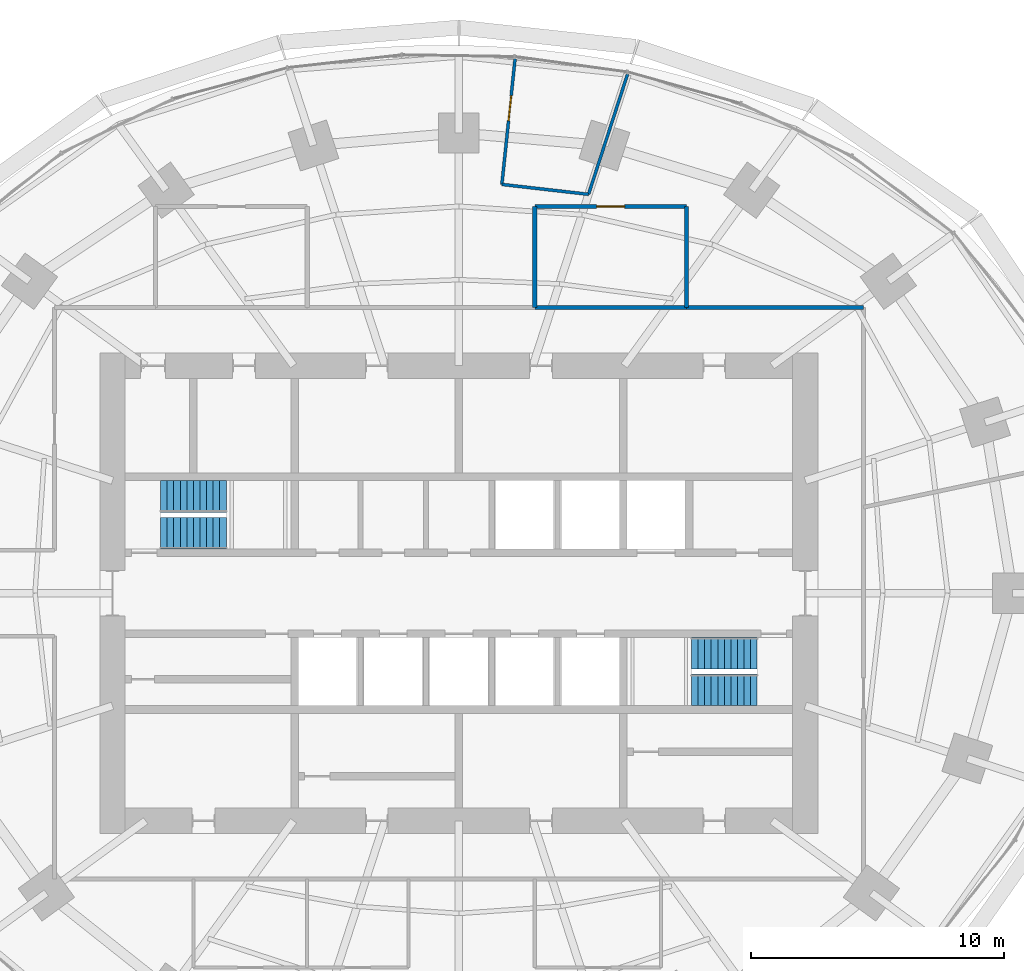
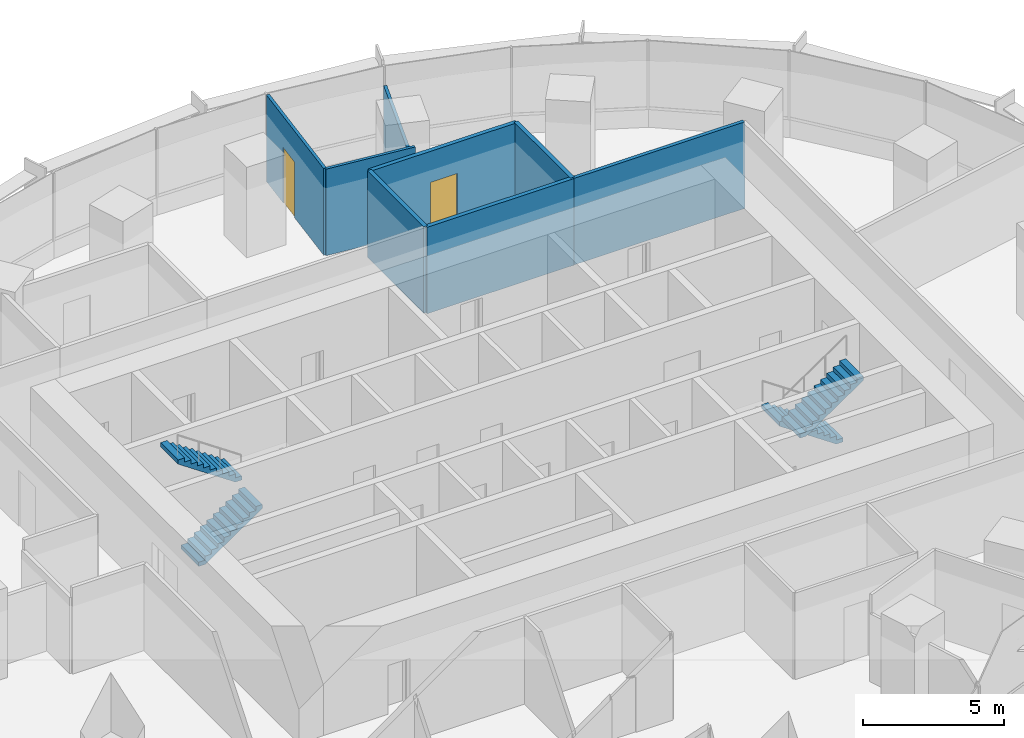
# One storey, part 12 of 14: 8 walls, 4 stair flights, 2 doors, 2 openings, 2 elements without a shape of their own.
"""IFC4 building model written with IfcOpenShell, lengths in metres."""

from ifc_helpers import new_model, si_unit, direction, frame, frame_2d, origin, place, context, subcontext, project, spatial, polyline, rectangle, outline, extrude, material, layer, layer_set, type_object, element, fill, aggregate, save


model = new_model("IFC4")

# Units and contexts
model_context = context("Model", 3, precision=1e-05, world=origin(), true_north=direction((0.0, 1.0)))
body_context = subcontext(model_context, "Body", "Model", "MODEL_VIEW")
ifc_project = project(units=[si_unit("LENGTHUNIT", "METRE"), si_unit("AREAUNIT", "SQUARE_METRE"), si_unit("VOLUMEUNIT", "CUBIC_METRE"), si_unit("PLANEANGLEUNIT", "RADIAN"), si_unit("MASSUNIT", "GRAM", prefix="KILO")], contexts=[model_context])

# Site, building, storey
site_placement = place(None, origin())
site = spatial("IfcSite", under=ifc_project, at=site_placement, CompositionType="ELEMENT")
building_placement = place(site_placement, origin())
building = spatial("IfcBuilding", under=site, at=building_placement, Name="Marramba Exchange Tower", CompositionType="ELEMENT")
storey_placement = place(building_placement, frame((0.0, 0.0, 111.89990234375)))
storey = spatial("IfcBuildingStorey", under=building, at=storey_placement, Name="L26", CompositionType="ELEMENT", Elevation=111.89990234375)

# Walls
ifc_material_1 = material(Name="Plasterboard on staggered double steel studs, acoustic insulation", Category="steel")
ifc_layer_1 = layer(ifc_material_1, 0.169921875)
ifc_layer_set_1 = layer_set([ifc_layer_1], Name="Acoustic partition 170")
wall_type_1 = type_object("IfcWallType", Name="Acoustic partition 170", PredefinedType="PARTITIONING", material=ifc_layer_set_1)
wall_1_placement = place(storey_placement, frame((9.0, 11.300048828125, 0.0), z_axis=(0.0, 0.0, 1.0), x_axis=(0.0, 1.0, 0.0)))
element("IfcWall", 1, at=wall_1_placement, inside=storey, type_object=wall_type_1, Name="Acoustic partition L26 20", PredefinedType="PARTITIONING", context=body_context, shape_type="SweptSolid", body=[
    extrude(rectangle(XDim=4.0, YDim=0.169921875, at=frame_2d((2.0, 0.0))), origin(), (0.0, 0.0, 1.0), 3.739990234375),
])
wall_2_placement = place(storey_placement, frame((3.0, 11.300048828125, 0.0), z_axis=(0.0, 0.0, 1.0), x_axis=(1.0, 0.0, 0.0)))
element("IfcWall", 2, at=wall_2_placement, inside=storey, type_object=wall_type_1, Name="Acoustic partition L26 21", PredefinedType="PARTITIONING", context=body_context, shape_type="SweptSolid", body=[
    extrude(rectangle(XDim=6.0, YDim=0.169921875, at=frame_2d((3.0, 0.0))), origin(), (0.0, 0.0, 1.0), 3.739990234375),
])

# Wall, opening, door
wall_3_placement = place(storey_placement, frame((9.0, 15.300048828125, 0.0), z_axis=(0.0, 0.0, 1.0), x_axis=(-1.0, 0.0, 0.0)))
wall_3 = element("IfcWall", 3, at=wall_3_placement, inside=storey, type_object=wall_type_1, Name="Acoustic partition L26 22", PredefinedType="PARTITIONING", context=body_context, shape_type="SweptSolid", body=[
    extrude(rectangle(XDim=6.0, YDim=0.169921875, at=frame_2d((3.0, 0.0))), origin(), (0.0, 0.0, 1.0), 3.739990234375),
])
opening_1_placement = place(wall_3_placement, frame((2.449951171875, 0.0, 0.0)))
opening_1 = element("IfcOpeningElement", 4, at=opening_1_placement, cuts=wall_3, Name="Opening D15", PredefinedType="OPENING", context=body_context, shape_type="SweptSolid", body=[
    extrude(rectangle(XDim=1.10009765625, YDim=2.39990234375, at=frame_2d((0.550048828125, 1.199951171875))), frame((0.0, 0.094970703125, 0.0), z_axis=(0.0, -1.0, 0.0), x_axis=(1.0, 0.0, 0.0)), (0.0, 0.0, 1.0), 0.18994140625),
])
ifc_material_2 = material(Name="Timber door", Category="wood")
door_type_1 = type_object("IfcDoorType", Name="Glazed meeting room door 1100x2400", OperationType="SINGLE_SWING_LEFT", PredefinedType="DOOR", material=ifc_material_2)
door_1_placement = place(opening_1_placement, origin())
door_1 = element("IfcDoor", 5, at=door_1_placement, inside=storey, type_object=door_type_1, Name="D15 Meeting Room 1 L26", OperationType="SINGLE_SWING_RIGHT", OverallHeight=2.39990234375, OverallWidth=1.10009765625, PredefinedType="DOOR", context=body_context, shape_type="SweptSolid", body=[
    extrude(rectangle(XDim=1.10009765625, YDim=2.39990234375, at=frame_2d((0.550048828125, 1.199951171875))), frame((0.0, 0.02490234375, 0.0), z_axis=(0.0, -1.0, 0.0), x_axis=(1.0, 0.0, 0.0)), (0.0, 0.0, 1.0), 0.050048828125),
])
fill(opening_1, door_1)

# Walls
wall_4_placement = place(storey_placement, frame((3.0, 15.300048828125, 0.0), z_axis=(0.0, 0.0, 1.0), x_axis=(0.0, -1.0, 0.0)))
element("IfcWall", 6, at=wall_4_placement, inside=storey, type_object=wall_type_1, Name="Acoustic partition L26 24", PredefinedType="PARTITIONING", context=body_context, shape_type="SweptSolid", body=[
    extrude(rectangle(XDim=4.0, YDim=0.169921875, at=frame_2d((2.0, 0.0))), origin(), (0.0, 0.0, 1.0), 3.739990234375),
])
ifc_material_3 = material(Name="Plasterboard on steel studs", Category="steel")
ifc_layer_2 = layer(ifc_material_3, 0.1201171875)
ifc_layer_set_2 = layer_set([ifc_layer_2], Name="Partition 120")
wall_type_2 = type_object("IfcWallType", Name="Partition 120", PredefinedType="PARTITIONING", material=ifc_layer_set_2)
wall_5_placement = place(storey_placement, frame((5.12646484375, 15.77783203125, 0.0), z_axis=(0.0, 0.0, 1.0), x_axis=(0.309026452484, 0.951053443117, 0.0)))
element("IfcWall", 7, at=wall_5_placement, inside=storey, type_object=wall_type_2, Name="Partition L26 23", PredefinedType="PARTITIONING", context=body_context, shape_type="SweptSolid", body=[
    extrude(rectangle(XDim=5.0, YDim=0.1201171875, at=frame_2d((2.5, 0.0))), origin(), (0.0, 0.0, 1.0), 2.940185546875),
])
wall_6_placement = place(storey_placement, frame((1.699462890625, 16.169189453125, 0.0), z_axis=(0.0, 0.0, 1.0), x_axis=(0.993542478944, -0.113460753277, 0.0)))
element("IfcWall", 8, at=wall_6_placement, inside=storey, type_object=wall_type_2, Name="Partition L26 25", PredefinedType="PARTITIONING", context=body_context, shape_type="SweptSolid", body=[
    extrude(rectangle(XDim=3.44921875, YDim=0.1201171875, at=frame_2d((1.724609375, 0.0))), origin(), (0.0, 0.0, 1.0), 3.739990234375),
])

# Wall, opening, door
wall_7_placement = place(storey_placement, frame((2.22216796875, 21.1416015625, 0.0), z_axis=(0.0, 0.0, 1.0), x_axis=(-0.104544982588, -0.994520158979, 0.0)))
wall_7 = element("IfcWall", 9, at=wall_7_placement, inside=storey, type_object=wall_type_2, Name="Partition L26 26", PredefinedType="PARTITIONING", context=body_context, shape_type="SweptSolid", body=[
    extrude(rectangle(XDim=4.999755859375, YDim=0.1201171875, at=frame_2d((2.5, 0.0))), origin(), (0.0, 0.0, 1.0), 3.739990234375),
])
opening_2_placement = place(wall_7_placement, frame((1.467041015625, 0.0, 0.0)))
opening_2 = element("IfcOpeningElement", 10, at=opening_2_placement, cuts=wall_7, Name="Opening D9", PredefinedType="OPENING", context=body_context, shape_type="SweptSolid", body=[
    extrude(rectangle(XDim=1.0, YDim=2.39990234375, at=frame_2d((0.5, 1.199951171875))), frame((0.0, 0.070068359375, 0.0), z_axis=(0.0, -1.0, 0.0), x_axis=(1.0, 0.0, 0.0)), (0.0, 0.0, 1.0), 0.14013671875),
])
door_type_2 = type_object("IfcDoorType", Name="Room door 1000x2400", OperationType="SINGLE_SWING_LEFT", PredefinedType="DOOR", material=ifc_material_2)
door_2_placement = place(opening_2_placement, origin())
door_2 = element("IfcDoor", 11, at=door_2_placement, inside=storey, type_object=door_type_2, Name="D9 Office 3 L26", OperationType="SINGLE_SWING_LEFT", OverallHeight=2.39990234375, OverallWidth=1.0, PredefinedType="DOOR", context=body_context, shape_type="SweptSolid", body=[
    extrude(rectangle(XDim=1.0, YDim=2.39990234375, at=frame_2d((0.5, 1.199951171875))), frame((0.0, 0.02490234375, 0.0), z_axis=(0.0, -1.0, 0.0), x_axis=(1.0, 0.0, 0.0)), (0.0, 0.0, 1.0), 0.050048828125),
])
fill(opening_2, door_2)

# Wall
ifc_material_4 = material(Name="Fire-rated plasterboard on steel studs, acoustic insulation", Category="steel")
ifc_layer_3 = layer(ifc_material_4, 0.14990234375)
ifc_layer_set_3 = layer_set([ifc_layer_3], Name="Tenancy wall 150")
wall_type_3 = type_object("IfcWallType", Name="Tenancy wall 150", PredefinedType="PARTITIONING", material=ifc_layer_set_3)
wall_8_placement = place(storey_placement, frame((16.0, 11.300048828125, 0.0), z_axis=(0.0, 0.0, 1.0), x_axis=(-1.0, 0.0, 0.0)))
element("IfcWall", 12, at=wall_8_placement, inside=storey, type_object=wall_type_3, Name="Tenancy wall L26 19", PredefinedType="PARTITIONING", context=body_context, shape_type="SweptSolid", body=[
    extrude(rectangle(XDim=7.0, YDim=0.14990234375, at=frame_2d((3.5, 0.0))), origin(), (0.0, 0.0, 1.0), 3.739990234375),
])

# Stair, stair flights
ifc_material_5 = material(Name="Concrete N40 (40 MPa)", Category="concrete")
stair_type_1 = type_object("IfcStairType", Name="Exit stair ST1 3900 x 1250", PredefinedType="HALF_TURN_STAIR", material=ifc_material_5)
stair_1_placement = place(storey_placement, origin())
stair_1 = element("IfcStair", 13, at=stair_1_placement, inside=storey, type_object=stair_type_1, Name="Exit stair ST1 L26", PredefinedType="HALF_TURN_STAIR")
stair_flight_type_1 = type_object("IfcStairFlightType", Name="ST1 stair flight 1773 riser 1250 wide", PredefinedType="STRAIGHT", material=ifc_material_5)
stair_flight_1_placement = place(storey_placement, frame((-11.800048828125, 2.375, 0.0), z_axis=(0.0, 0.0, 1.0), x_axis=(1.0, 0.0, 0.0)))
stair_flight_1 = element("IfcStairFlight", 14, at=stair_flight_1_placement, type_object=stair_flight_type_1, Name="ST1 flight 1", NumberOfRisers=11, NumberOfTreads=10, PredefinedType="STRAIGHT", RiserHeight=0.177272727, TreadLength=0.26, context=body_context, shape_type="SweptSolid", body=[
    extrude(outline(polyline([(0.0, 0.0), (0.0, 0.17724609375), (0.260009765625, 0.17724609375), (0.260009765625, 0.3544921875), (0.52001953125, 0.3544921875), (0.52001953125, 0.53173828125), (0.780029296875, 0.53173828125), (0.780029296875, 0.708984375), (1.0400390625, 0.708984375), (1.0400390625, 0.886474609375), (1.300048828125, 0.886474609375), (1.300048828125, 1.063720703125), (1.56005859375, 1.063720703125), (1.56005859375, 1.240966796875), (1.820068359375, 1.240966796875), (1.820068359375, 1.418212890625), (2.080078125, 1.418212890625), (2.080078125, 1.595458984375), (2.340087890625, 1.595458984375), (2.340087890625, 1.772705078125), (2.60009765625, 1.772705078125), (2.60009765625, 1.949951171875), (2.60009765625, 1.59130859375), (0.26611328125, 0.0), (0.0, 0.0)])), frame((0.0, 0.625, 0.0), z_axis=(0.0, -1.0, 0.0), x_axis=(1.0, 0.0, 0.0)), (0.0, 0.0, 1.0), 1.25),
])
stair_flight_2_placement = place(storey_placement, frame((-9.199951171875, 3.824951171875, 1.9501953125), z_axis=(0.0, 0.0, 1.0), x_axis=(-1.0, 0.0, 0.0)))
stair_flight_2 = element("IfcStairFlight", 15, at=stair_flight_2_placement, type_object=stair_flight_type_1, Name="ST1 flight 2", NumberOfRisers=11, NumberOfTreads=10, PredefinedType="STRAIGHT", RiserHeight=0.177272727, TreadLength=0.26, context=body_context, shape_type="SweptSolid", body=[
    extrude(outline(polyline([(0.0, 0.0), (0.0, 0.17724609375), (0.260009765625, 0.17724609375), (0.260009765625, 0.3544921875), (0.52001953125, 0.3544921875), (0.52001953125, 0.53173828125), (0.780029296875, 0.53173828125), (0.780029296875, 0.708984375), (1.0400390625, 0.708984375), (1.0400390625, 0.886474609375), (1.300048828125, 0.886474609375), (1.300048828125, 1.063720703125), (1.56005859375, 1.063720703125), (1.56005859375, 1.240966796875), (1.820068359375, 1.240966796875), (1.820068359375, 1.418212890625), (2.080078125, 1.418212890625), (2.080078125, 1.595458984375), (2.340087890625, 1.595458984375), (2.340087890625, 1.772705078125), (2.60009765625, 1.772705078125), (2.60009765625, 1.949951171875), (2.60009765625, 1.59130859375), (0.26611328125, 0.0), (0.0, 0.0)])), frame((0.0, 0.625, 0.0), z_axis=(0.0, -1.0, 0.0), x_axis=(1.0, 0.0, 0.0)), (0.0, 0.0, 1.0), 1.25),
])
aggregate(stair_1, [stair_flight_1, stair_flight_2])

stair_type_2 = type_object("IfcStairType", Name="Exit stair ST2 3900 x 1250", PredefinedType="HALF_TURN_STAIR", material=ifc_material_5)
stair_2_placement = place(storey_placement, origin())
stair_2 = element("IfcStair", 16, at=stair_2_placement, inside=storey, type_object=stair_type_2, Name="Exit stair ST2 L26", PredefinedType="HALF_TURN_STAIR")
stair_flight_type_2 = type_object("IfcStairFlightType", Name="ST2 stair flight 1773 riser 1250 wide", PredefinedType="STRAIGHT", material=ifc_material_5)
stair_flight_3_placement = place(storey_placement, frame((11.800048828125, -2.375, 0.0), z_axis=(0.0, 0.0, 1.0), x_axis=(-1.0, 0.0, 0.0)))
stair_flight_3 = element("IfcStairFlight", 17, at=stair_flight_3_placement, type_object=stair_flight_type_2, Name="ST2 flight 1", NumberOfRisers=11, NumberOfTreads=10, PredefinedType="STRAIGHT", RiserHeight=0.177272727, TreadLength=0.26, context=body_context, shape_type="SweptSolid", body=[
    extrude(outline(polyline([(0.0, 0.0), (0.0, 0.17724609375), (0.260009765625, 0.17724609375), (0.260009765625, 0.3544921875), (0.52001953125, 0.3544921875), (0.52001953125, 0.53173828125), (0.780029296875, 0.53173828125), (0.780029296875, 0.708984375), (1.0400390625, 0.708984375), (1.0400390625, 0.886474609375), (1.300048828125, 0.886474609375), (1.300048828125, 1.063720703125), (1.56005859375, 1.063720703125), (1.56005859375, 1.240966796875), (1.820068359375, 1.240966796875), (1.820068359375, 1.418212890625), (2.080078125, 1.418212890625), (2.080078125, 1.595458984375), (2.340087890625, 1.595458984375), (2.340087890625, 1.772705078125), (2.60009765625, 1.772705078125), (2.60009765625, 1.949951171875), (2.60009765625, 1.59130859375), (0.26611328125, 0.0), (0.0, 0.0)])), frame((0.0, 0.625, 0.0), z_axis=(0.0, -1.0, 0.0), x_axis=(1.0, 0.0, 0.0)), (0.0, 0.0, 1.0), 1.25),
])
stair_flight_4_placement = place(storey_placement, frame((9.199951171875, -3.824951171875, 1.9501953125), z_axis=(0.0, 0.0, 1.0), x_axis=(1.0, 0.0, 0.0)))
stair_flight_4 = element("IfcStairFlight", 18, at=stair_flight_4_placement, type_object=stair_flight_type_2, Name="ST2 flight 2", NumberOfRisers=11, NumberOfTreads=10, PredefinedType="STRAIGHT", RiserHeight=0.177272727, TreadLength=0.26, context=body_context, shape_type="SweptSolid", body=[
    extrude(outline(polyline([(0.0, 0.0), (0.0, 0.17724609375), (0.260009765625, 0.17724609375), (0.260009765625, 0.3544921875), (0.52001953125, 0.3544921875), (0.52001953125, 0.53173828125), (0.780029296875, 0.53173828125), (0.780029296875, 0.708984375), (1.0400390625, 0.708984375), (1.0400390625, 0.886474609375), (1.300048828125, 0.886474609375), (1.300048828125, 1.063720703125), (1.56005859375, 1.063720703125), (1.56005859375, 1.240966796875), (1.820068359375, 1.240966796875), (1.820068359375, 1.418212890625), (2.080078125, 1.418212890625), (2.080078125, 1.595458984375), (2.340087890625, 1.595458984375), (2.340087890625, 1.772705078125), (2.60009765625, 1.772705078125), (2.60009765625, 1.949951171875), (2.60009765625, 1.59130859375), (0.26611328125, 0.0), (0.0, 0.0)])), frame((0.0, 0.625, 0.0), z_axis=(0.0, -1.0, 0.0), x_axis=(1.0, 0.0, 0.0)), (0.0, 0.0, 1.0), 1.25),
])
aggregate(stair_2, [stair_flight_3, stair_flight_4])

save(model, "model.ifc")
